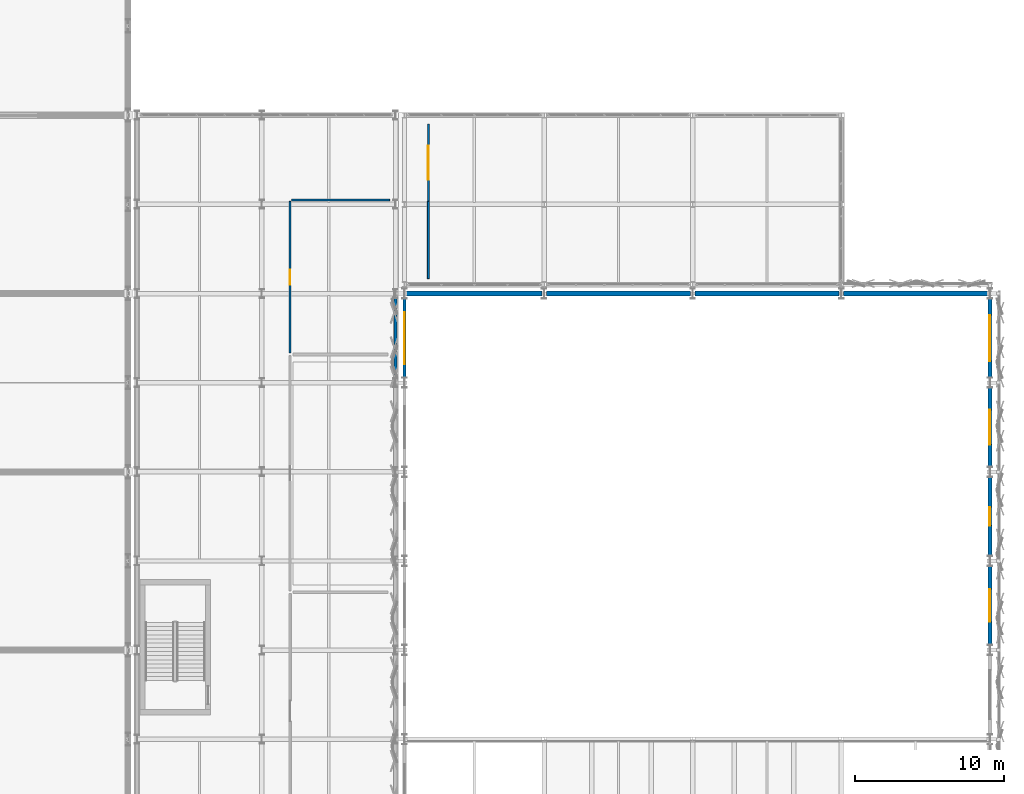
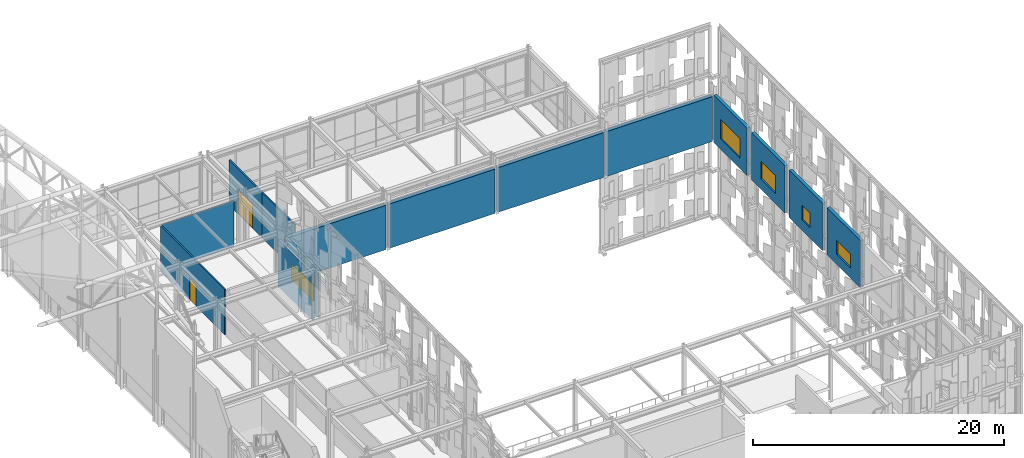
# One storey, part 206 of 239: 14 walls, 5 windows, 2 doors, 7 openings.
"""IFC4 building model written with IfcOpenShell, lengths in metres."""

from ifc_helpers import new_model, si_unit, direction, frame, frame_2d, origin, place, context, subcontext, project, spatial, rectangle, extrude, material, layer, layer_set, type_object, element, fill, save


model = new_model("IFC4")

# Units and contexts
model_context = context("Model", 3, precision=1e-05, world=origin(), true_north=direction((0.0, 1.0)))
body_context = subcontext(model_context, "Body", "Model", "MODEL_VIEW")
ifc_project = project(units=[si_unit("LENGTHUNIT", "METRE"), si_unit("AREAUNIT", "SQUARE_METRE"), si_unit("VOLUMEUNIT", "CUBIC_METRE"), si_unit("PLANEANGLEUNIT", "RADIAN"), si_unit("MASSUNIT", "GRAM", prefix="KILO")], contexts=[model_context])

# Site, building, storey
site_placement = place(None, origin())
site = spatial("IfcSite", under=ifc_project, at=site_placement, CompositionType="ELEMENT")
building_placement = place(site_placement, origin())
building = spatial("IfcBuilding", under=site, at=building_placement, Name="Kaldris Quays Convention Centre", CompositionType="ELEMENT")
storey_placement = place(building_placement, frame((0.0, 0.0, 11.39990234375)))
storey = spatial("IfcBuildingStorey", under=building, at=storey_placement, Name="L02", CompositionType="ELEMENT", Elevation=11.39990234375)

# Walls
ifc_material_1 = material(Name="Concrete C35/45", Category="concrete")
ifc_layer_1 = layer(ifc_material_1, 0.344970703125)
ifc_layer_set_1 = layer_set([ifc_layer_1], Name="Concrete C35/45")
wall_type_1 = type_object("IfcWallType", Name="EXTERIOR WALL EW01", PredefinedType="STANDARD", material=ifc_layer_set_1)
wall_1_placement = place(storey_placement, frame((164.74609375, 104.0, 0.0), z_axis=(0.0, 0.0, 1.0), x_axis=(1.0, 0.0, 0.0)))
element("IfcWall", 1, at=wall_1_placement, inside=storey, type_object=wall_type_1, Name="L02 Exterior Wall EW01 133", PredefinedType="STANDARD", context=body_context, shape_type="SweptSolid", body=[
    extrude(rectangle(XDim=9.10791015625, YDim=0.344970703125, at=frame_2d((4.553955078125, 0.0))), origin(), (0.0, 0.0, 1.0), 4.30517578125),
])
wall_2_placement = place(storey_placement, frame((174.14599609375, 104.0, 0.0), z_axis=(0.0, 0.0, 1.0), x_axis=(1.0, 0.0, 0.0)))
element("IfcWall", 2, at=wall_2_placement, inside=storey, type_object=wall_type_1, Name="L02 Exterior Wall EW01 134", PredefinedType="STANDARD", context=body_context, shape_type="SweptSolid", body=[
    extrude(rectangle(XDim=9.7080078125, YDim=0.344970703125, at=frame_2d((4.85400390625, 0.0))), origin(), (0.0, 0.0, 1.0), 4.30517578125),
])
wall_3_placement = place(storey_placement, frame((184.14599609375, 104.0, 0.0), z_axis=(0.0, 0.0, 1.0), x_axis=(1.0, 0.0, 0.0)))
element("IfcWall", 3, at=wall_3_placement, inside=storey, type_object=wall_type_1, Name="L02 Exterior Wall EW01 135", PredefinedType="STANDARD", context=body_context, shape_type="SweptSolid", body=[
    extrude(rectangle(XDim=9.7080078125, YDim=0.344970703125, at=frame_2d((4.85400390625, 0.0))), origin(), (0.0, 0.0, 1.0), 4.34521484375),
])
wall_4_placement = place(storey_placement, frame((194.14599609375, 104.0, 0.0), z_axis=(0.0, 0.0, 1.0), x_axis=(1.0, 0.0, 0.0)))
element("IfcWall", 4, at=wall_4_placement, inside=storey, type_object=wall_type_1, Name="L02 Exterior Wall EW01 136", PredefinedType="STANDARD", context=body_context, shape_type="SweptSolid", body=[
    extrude(rectangle(XDim=9.7080078125, YDim=0.344970703125, at=frame_2d((4.85400390625, 0.0))), origin(), (0.0, 0.0, 1.0), 4.35498046875),
])

# Wall, opening, window
ifc_material_2 = material(Name="Precast concrete C40/50", Category="concrete")
ifc_layer_2 = layer(ifc_material_2, 0.2880859375)
ifc_layer_set_2 = layer_set([ifc_layer_2], Name="Precast concrete C40/50")
wall_type_2 = type_object("IfcWallType", Name="EXTERIOR WALL EW03", PredefinedType="STANDARD", material=ifc_layer_set_2)
wall_5_placement = place(storey_placement, frame((204.0, 80.345947265625, 0.0), z_axis=(0.0, 0.0, 1.0), x_axis=(0.0, 1.0, 0.0)))
wall_5 = element("IfcWall", 5, at=wall_5_placement, inside=storey, type_object=wall_type_2, Name="L02 Exterior Wall EW03 142", PredefinedType="STANDARD", context=body_context, shape_type="SweptSolid", body=[
    extrude(rectangle(XDim=5.30810546875, YDim=0.2880859375, at=frame_2d((2.654052734375, 0.0))), origin(), (0.0, 0.0, 1.0), 4.60009765625),
])
opening_1_placement = place(wall_5_placement, frame((1.553955078125, 0.0, 1.0)))
opening_1 = element("IfcOpeningElement", 6, at=opening_1_placement, cuts=wall_5, Name="Opening WN27", PredefinedType="OPENING", context=body_context, shape_type="SweptSolid", body=[
    extrude(rectangle(XDim=2.199951171875, YDim=1.35009765625, at=frame_2d((1.10009765625, 0.675048828125))), frame((0.0, 0.154052734375, 0.0), z_axis=(0.0, -1.0, 0.0), x_axis=(1.0, 0.0, 0.0)), (0.0, 0.0, 1.0), 0.30810546875),
])
ifc_material_3 = material(Name="Triple low-E insulated glazing", Category="glass")
window_type_1 = type_object("IfcWindowType", Name="TRIPLE GLAZED WINDOW WN27", PartitioningType="SINGLE_PANEL", PredefinedType="WINDOW", material=ifc_material_3)
window_1_placement = place(opening_1_placement, origin())
window_1 = element("IfcWindow", 7, at=window_1_placement, inside=storey, type_object=window_type_1, Name="L02 Exterior Window WN27 51", OverallHeight=1.35009765625, OverallWidth=2.199951171875, PartitioningType="SINGLE_PANEL", PredefinedType="WINDOW", context=body_context, shape_type="SweptSolid", body=[
    extrude(rectangle(XDim=2.199951171875, YDim=1.35009765625, at=frame_2d((1.10009765625, 0.675048828125))), frame((0.0, 0.030029296875, 0.0), z_axis=(0.0, -1.0, 0.0), x_axis=(1.0, 0.0, 0.0)), (0.0, 0.0, 1.0), 0.06005859375),
])
fill(opening_1, window_1)

wall_6_placement = place(storey_placement, frame((204.0, 86.345947265625, 0.0), z_axis=(0.0, 0.0, 1.0), x_axis=(0.0, 1.0, 0.0)))
wall_6 = element("IfcWall", 8, at=wall_6_placement, inside=storey, type_object=wall_type_2, Name="L02 Exterior Wall EW03 144", PredefinedType="STANDARD", context=body_context, shape_type="SweptSolid", body=[
    extrude(rectangle(XDim=5.30810546875, YDim=0.2880859375, at=frame_2d((2.654052734375, 0.0))), origin(), (0.0, 0.0, 1.0), 4.60009765625),
])
opening_2_placement = place(wall_6_placement, frame((2.029052734375, 0.0, 1.0)))
opening_2 = element("IfcOpeningElement", 9, at=opening_2_placement, cuts=wall_6, Name="Opening WN29", PredefinedType="OPENING", context=body_context, shape_type="SweptSolid", body=[
    extrude(rectangle(XDim=1.25, YDim=1.39990234375, at=frame_2d((0.625, 0.699951171875))), frame((0.0, 0.154052734375, 0.0), z_axis=(0.0, -1.0, 0.0), x_axis=(1.0, 0.0, 0.0)), (0.0, 0.0, 1.0), 0.30810546875),
])
window_type_2 = type_object("IfcWindowType", Name="TRIPLE GLAZED WINDOW WN29", PartitioningType="SINGLE_PANEL", PredefinedType="WINDOW", material=ifc_material_3)
window_2_placement = place(opening_2_placement, origin())
window_2 = element("IfcWindow", 10, at=window_2_placement, inside=storey, type_object=window_type_2, Name="L02 Exterior Window WN29 53", OverallHeight=1.39990234375, OverallWidth=1.25, PartitioningType="SINGLE_PANEL", PredefinedType="WINDOW", context=body_context, shape_type="SweptSolid", body=[
    extrude(rectangle(XDim=1.25, YDim=1.39990234375, at=frame_2d((0.625, 0.699951171875))), frame((0.0, 0.030029296875, 0.0), z_axis=(0.0, -1.0, 0.0), x_axis=(1.0, 0.0, 0.0)), (0.0, 0.0, 1.0), 0.06005859375),
])
fill(opening_2, window_2)

wall_7_placement = place(storey_placement, frame((204.0, 92.345947265625, 0.0), z_axis=(0.0, 0.0, 1.0), x_axis=(0.0, 1.0, 0.0)))
wall_7 = element("IfcWall", 11, at=wall_7_placement, inside=storey, type_object=wall_type_2, Name="L02 Exterior Wall EW03 146", PredefinedType="STANDARD", context=body_context, shape_type="SweptSolid", body=[
    extrude(rectangle(XDim=5.30810546875, YDim=0.2880859375, at=frame_2d((2.654052734375, 0.0))), origin(), (0.0, 0.0, 1.0), 4.60009765625),
])
opening_3_placement = place(wall_7_placement, frame((1.47900390625, 0.0, 1.0)))
opening_3 = element("IfcOpeningElement", 12, at=opening_3_placement, cuts=wall_7, Name="Opening WN31", PredefinedType="OPENING", context=body_context, shape_type="SweptSolid", body=[
    extrude(rectangle(XDim=2.35009765625, YDim=1.75, at=frame_2d((1.175048828125, 0.875))), frame((0.0, 0.154052734375, 0.0), z_axis=(0.0, -1.0, 0.0), x_axis=(1.0, 0.0, 0.0)), (0.0, 0.0, 1.0), 0.30810546875),
])
window_type_3 = type_object("IfcWindowType", Name="TRIPLE GLAZED WINDOW WN31", PartitioningType="SINGLE_PANEL", PredefinedType="WINDOW", material=ifc_material_3)
window_3_placement = place(opening_3_placement, origin())
window_3 = element("IfcWindow", 13, at=window_3_placement, inside=storey, type_object=window_type_3, Name="L02 Exterior Window WN31 55", OverallHeight=1.75, OverallWidth=2.35009765625, PartitioningType="SINGLE_PANEL", PredefinedType="WINDOW", context=body_context, shape_type="SweptSolid", body=[
    extrude(rectangle(XDim=2.35009765625, YDim=1.75, at=frame_2d((1.175048828125, 0.875))), frame((0.0, 0.030029296875, 0.0), z_axis=(0.0, -1.0, 0.0), x_axis=(1.0, 0.0, 0.0)), (0.0, 0.0, 1.0), 0.06005859375),
])
fill(opening_3, window_3)

wall_8_placement = place(storey_placement, frame((204.0, 98.345947265625, 0.0), z_axis=(0.0, 0.0, 1.0), x_axis=(0.0, 1.0, 0.0)))
wall_8 = element("IfcWall", 14, at=wall_8_placement, inside=storey, type_object=wall_type_2, Name="L02 Exterior Wall EW03 148", PredefinedType="STANDARD", context=body_context, shape_type="SweptSolid", body=[
    extrude(rectangle(XDim=5.30810546875, YDim=0.2880859375, at=frame_2d((2.654052734375, 0.0))), origin(), (0.0, 0.0, 1.0), 4.60009765625),
])
opening_4_placement = place(wall_8_placement, frame((1.10400390625, 0.0, 1.0)))
opening_4 = element("IfcOpeningElement", 15, at=opening_4_placement, cuts=wall_8, Name="Opening WN33", PredefinedType="OPENING", context=body_context, shape_type="SweptSolid", body=[
    extrude(rectangle(XDim=3.10009765625, YDim=1.89990234375, at=frame_2d((1.550048828125, 0.949951171875))), frame((0.0, 0.154052734375, 0.0), z_axis=(0.0, -1.0, 0.0), x_axis=(1.0, 0.0, 0.0)), (0.0, 0.0, 1.0), 0.30810546875),
])
window_type_4 = type_object("IfcWindowType", Name="TRIPLE GLAZED WINDOW WN33", PartitioningType="SINGLE_PANEL", PredefinedType="WINDOW", material=ifc_material_3)
window_4_placement = place(opening_4_placement, origin())
window_4 = element("IfcWindow", 16, at=window_4_placement, inside=storey, type_object=window_type_4, Name="L02 Exterior Window WN33 57", OverallHeight=1.89990234375, OverallWidth=3.10009765625, PartitioningType="SINGLE_PANEL", PredefinedType="WINDOW", context=body_context, shape_type="SweptSolid", body=[
    extrude(rectangle(XDim=3.10009765625, YDim=1.89990234375, at=frame_2d((1.550048828125, 0.949951171875))), frame((0.0, 0.030029296875, 0.0), z_axis=(0.0, -1.0, 0.0), x_axis=(1.0, 0.0, 0.0)), (0.0, 0.0, 1.0), 0.06005859375),
])
fill(opening_4, window_4)

# Wall
ifc_material_4 = material(Name="Anodized aluminium insulated cassette", Category="aluminium")
ifc_layer_3 = layer(ifc_material_4, 0.221923828125)
ifc_layer_set_3 = layer_set([ifc_layer_3], Name="Anodized aluminium insulated cassette")
wall_type_3 = type_object("IfcWallType", Name="EXTERIOR WALL EW06", PredefinedType="STANDARD", material=ifc_layer_set_3)
wall_9_placement = place(storey_placement, frame((164.0, 98.2958984375, 0.0), z_axis=(0.0, 0.0, 1.0), x_axis=(0.0, 1.0, 0.0)))
element("IfcWall", 17, at=wall_9_placement, inside=storey, type_object=wall_type_3, Name="L02 Exterior Wall EW06 321", PredefinedType="STANDARD", context=body_context, shape_type="SweptSolid", body=[
    extrude(rectangle(XDim=5.408203125, YDim=0.221923828125, at=frame_2d((2.7041015625, 0.0))), origin(), (0.0, 0.0, 1.0), 4.548095703125),
])

# Wall, opening, window
ifc_layer_4 = layer(ifc_material_4, 0.201904296875)
ifc_layer_set_4 = layer_set([ifc_layer_4], Name="Anodized aluminium insulated cassette")
wall_type_4 = type_object("IfcWallType", Name="EXTERIOR WALL EW07", PredefinedType="STANDARD", material=ifc_layer_set_4)
wall_10_placement = place(storey_placement, frame((164.60009765625, 98.345947265625, 0.0), z_axis=(0.0, 0.0, 1.0), x_axis=(0.0, 1.0, 0.0)))
wall_10 = element("IfcWall", 18, at=wall_10_placement, inside=storey, type_object=wall_type_4, Name="L02 Exterior Wall EW07 149", PredefinedType="STANDARD", context=body_context, shape_type="SweptSolid", body=[
    extrude(rectangle(XDim=5.30810546875, YDim=0.201904296875, at=frame_2d((2.654052734375, 0.0))), origin(), (0.0, 0.0, 1.0), 4.60009765625),
])
opening_5_placement = place(wall_10_placement, frame((0.904052734375, 0.0, 1.0)))
opening_5 = element("IfcOpeningElement", 19, at=opening_5_placement, cuts=wall_10, Name="Opening WN34", PredefinedType="OPENING", context=body_context, shape_type="SweptSolid", body=[
    extrude(rectangle(XDim=3.5, YDim=1.550048828125, at=frame_2d((1.75, 0.77490234375))), frame((0.0, 0.11083984375, 0.0), z_axis=(0.0, -1.0, 0.0), x_axis=(1.0, 0.0, 0.0)), (0.0, 0.0, 1.0), 0.221923828125),
])
window_type_5 = type_object("IfcWindowType", Name="TRIPLE GLAZED WINDOW WN34", PartitioningType="SINGLE_PANEL", PredefinedType="WINDOW", material=ifc_material_3)
window_5_placement = place(opening_5_placement, origin())
window_5 = element("IfcWindow", 20, at=window_5_placement, inside=storey, type_object=window_type_5, Name="L02 Exterior Window WN34 58", OverallHeight=1.550048828125, OverallWidth=3.5, PartitioningType="SINGLE_PANEL", PredefinedType="WINDOW", context=body_context, shape_type="SweptSolid", body=[
    extrude(rectangle(XDim=3.5, YDim=1.550048828125, at=frame_2d((1.75, 0.77490234375))), frame((0.0, 0.030029296875, 0.0), z_axis=(0.0, -1.0, 0.0), x_axis=(1.0, 0.0, 0.0)), (0.0, 0.0, 1.0), 0.06005859375),
])
fill(opening_5, window_5)

# Wall, opening, door
ifc_material_5 = material(Name="Acoustic gypsum stud partition", Category="gypsum")
ifc_layer_5 = layer(ifc_material_5, 0.134033203125)
ifc_layer_set_5 = layer_set([ifc_layer_5], Name="Acoustic gypsum stud partition")
wall_type_5 = type_object("IfcWallType", Name="INTERIOR WALL IW05", PredefinedType="PARTITIONING", material=ifc_layer_set_5)
wall_11_placement = place(storey_placement, frame((166.199951171875, 110.199951171875, 0.0), z_axis=(0.0, 0.0, 1.0), x_axis=(0.0, 1.0, 0.0)))
wall_11 = element("IfcWall", 21, at=wall_11_placement, inside=storey, type_object=wall_type_5, Name="L02 Interior Wall IW05 100", PredefinedType="PARTITIONING", context=body_context, shape_type="SweptSolid", body=[
    extrude(rectangle(XDim=5.199951171875, YDim=0.134033203125, at=frame_2d((2.60009765625, 0.0))), origin(), (0.0, 0.0, 1.0), 4.400146484375),
])
opening_6_placement = place(wall_11_placement, frame((1.449951171875, 0.0, 0.0)))
opening_6 = element("IfcOpeningElement", 22, at=opening_6_placement, cuts=wall_11, Name="Opening ID11", PredefinedType="OPENING", context=body_context, shape_type="SweptSolid", body=[
    extrude(rectangle(XDim=2.300048828125, YDim=2.360107421875, at=frame_2d((1.14990234375, 1.18017578125))), frame((0.0, 0.0771484375, 0.0), z_axis=(0.0, -1.0, 0.0), x_axis=(1.0, 0.0, 0.0)), (0.0, 0.0, 1.0), 0.154052734375),
])
ifc_material_6 = material(Name="Glazed anodized aluminium foyer door", Category="aluminium")
door_type_1 = type_object("IfcDoorType", Name="INTERIOR DOOR ID11", OperationType="DOUBLE_DOOR_SINGLE_SWING", PredefinedType="DOOR", material=ifc_material_6)
door_1_placement = place(opening_6_placement, origin())
door_1 = element("IfcDoor", 23, at=door_1_placement, inside=storey, type_object=door_type_1, Name="L02 Interior Door ID11 67", OperationType="DOUBLE_DOOR_SINGLE_SWING", OverallHeight=2.360107421875, OverallWidth=2.300048828125, PredefinedType="DOOR", context=body_context, shape_type="SweptSolid", body=[
    extrude(rectangle(XDim=2.300048828125, YDim=2.360107421875, at=frame_2d((1.14990234375, 1.18017578125))), frame((0.0, 0.02490234375, 0.0), z_axis=(0.0, -1.0, 0.0), x_axis=(1.0, 0.0, 0.0)), (0.0, 0.0, 1.0), 0.050048828125),
])
fill(opening_6, door_1)

# Wall
wall_12_placement = place(storey_placement, frame((166.199951171875, 105.0, 0.0), z_axis=(0.0, 0.0, 1.0), x_axis=(0.0, 1.0, 0.0)))
element("IfcWall", 24, at=wall_12_placement, inside=storey, type_object=wall_type_5, Name="L02 Interior Wall IW05 101", PredefinedType="PARTITIONING", context=body_context, shape_type="SweptSolid", body=[
    extrude(rectangle(XDim=5.199951171875, YDim=0.134033203125, at=frame_2d((2.60009765625, 0.0))), origin(), (0.0, 0.0, 1.0), 4.400146484375),
])

# Wall, opening, door
ifc_layer_6 = layer(ifc_material_5, 0.1201171875)
ifc_layer_set_6 = layer_set([ifc_layer_6], Name="Acoustic gypsum stud partition")
wall_type_6 = type_object("IfcWallType", Name="INTERIOR WALL IW06", PredefinedType="PARTITIONING", material=ifc_layer_set_6)
wall_13_placement = place(storey_placement, frame((156.89990234375, 100.0, 0.0), z_axis=(0.0, 0.0, 1.0), x_axis=(0.0, 1.0, 0.0)))
wall_13 = element("IfcWall", 25, at=wall_13_placement, inside=storey, type_object=wall_type_6, Name="L02 Interior Wall IW06 95", PredefinedType="PARTITIONING", context=body_context, shape_type="SweptSolid", body=[
    extrude(rectangle(XDim=10.199951171875, YDim=0.1201171875, at=frame_2d((5.10009765625, 0.0))), origin(), (0.0, 0.0, 1.0), 4.400146484375),
])
opening_7_placement = place(wall_13_placement, frame((4.60009765625, 0.0, 0.0)))
opening_7 = element("IfcOpeningElement", 26, at=opening_7_placement, cuts=wall_13, Name="Opening ID04", PredefinedType="OPENING", context=body_context, shape_type="SweptSolid", body=[
    extrude(rectangle(XDim=1.0, YDim=2.14990234375, at=frame_2d((0.5, 1.074951171875))), frame((0.0, 0.070068359375, 0.0), z_axis=(0.0, -1.0, 0.0), x_axis=(1.0, 0.0, 0.0)), (0.0, 0.0, 1.0), 0.14013671875),
])
ifc_material_7 = material(Name="Timber acoustic leaf in steel frame", Category="steel")
door_type_2 = type_object("IfcDoorType", Name="INTERIOR DOOR ID04", OperationType="NOTDEFINED", PredefinedType="DOOR", material=ifc_material_7)
door_2_placement = place(opening_7_placement, origin())
door_2 = element("IfcDoor", 27, at=door_2_placement, inside=storey, type_object=door_type_2, Name="L02 Interior Door ID04 66", OperationType="SINGLE_SWING_LEFT", OverallHeight=2.14990234375, OverallWidth=1.0, PredefinedType="DOOR", context=body_context, shape_type="SweptSolid", body=[
    extrude(rectangle(XDim=1.0, YDim=2.14990234375, at=frame_2d((0.5, 1.074951171875))), frame((0.0, 0.02490234375, 0.0), z_axis=(0.0, -1.0, 0.0), x_axis=(1.0, 0.0, 0.0)), (0.0, 0.0, 1.0), 0.050048828125),
])
fill(opening_7, door_2)

# Wall
wall_14_placement = place(storey_placement, frame((157.0, 110.300048828125, 0.0), z_axis=(0.0, 0.0, 1.0), x_axis=(1.0, 0.0, 0.0)))
element("IfcWall", 28, at=wall_14_placement, inside=storey, type_object=wall_type_6, Name="L02 Interior Wall IW06 96", PredefinedType="PARTITIONING", context=body_context, shape_type="SweptSolid", body=[
    extrude(rectangle(XDim=6.60009765625, YDim=0.1201171875, at=frame_2d((3.300048828125, 0.0))), origin(), (0.0, 0.0, 1.0), 4.400146484375),
])

save(model, "model.ifc")
